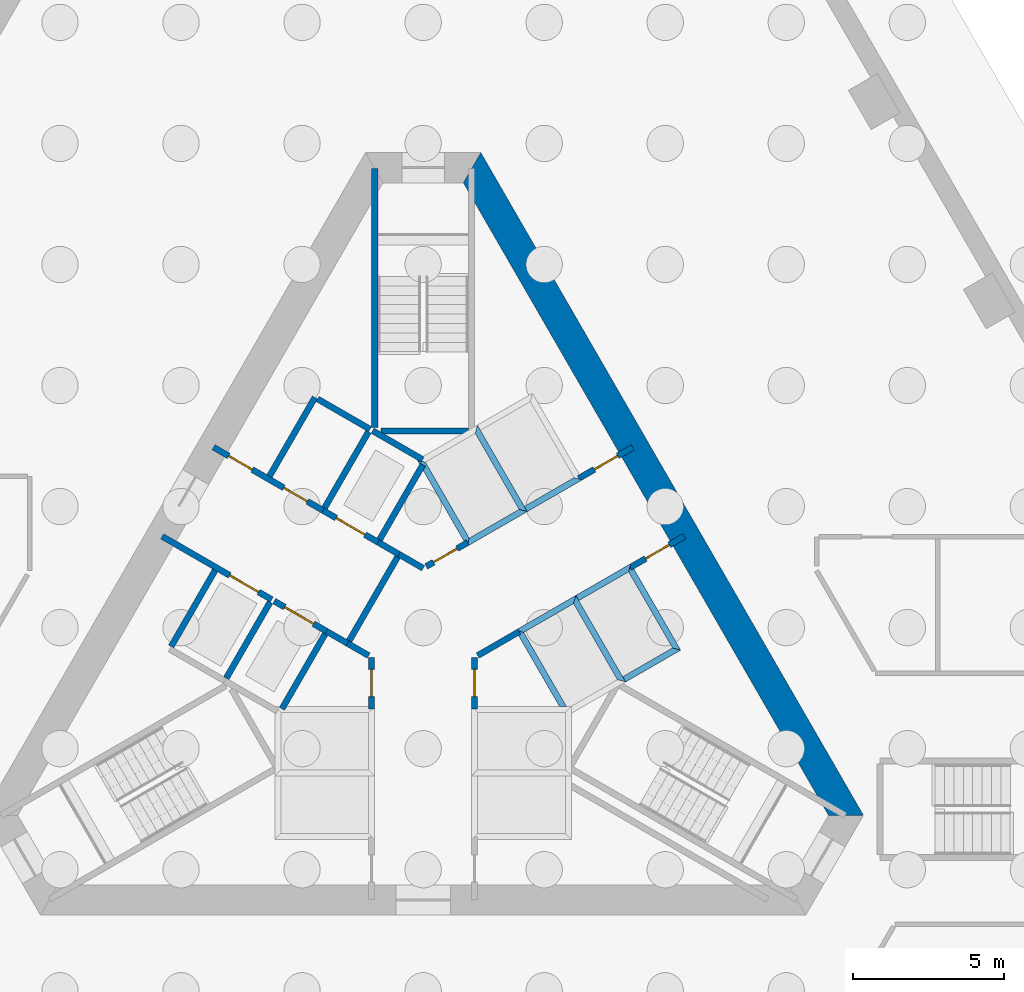
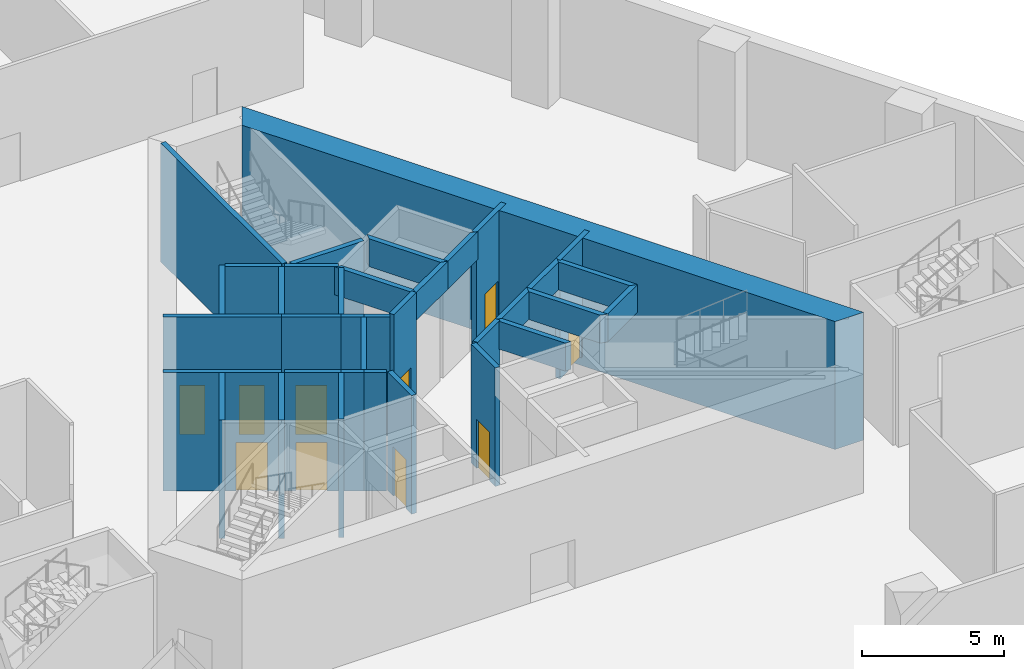
# One storey, part 8 of 20: 36 walls, 10 doors, 10 openings.
"""IFC4 building model written with IfcOpenShell, lengths in metres."""

from ifc_helpers import new_model, si_unit, direction, frame, frame_2d, origin, place, context, subcontext, project, spatial, polyline, rectangle, outline, extrude, material, layer, layer_set, type_object, element, fill, save


model = new_model("IFC4")

# Units and contexts
model_context = context("Model", 3, precision=1e-05, world=origin(), true_north=direction((0.0, 1.0)))
body_context = subcontext(model_context, "Body", "Model", "MODEL_VIEW")
ifc_project = project(units=[si_unit("LENGTHUNIT", "METRE"), si_unit("AREAUNIT", "SQUARE_METRE"), si_unit("VOLUMEUNIT", "CUBIC_METRE"), si_unit("PLANEANGLEUNIT", "RADIAN"), si_unit("MASSUNIT", "GRAM", prefix="KILO")], contexts=[model_context])

# Site, building, storey
site_placement = place(None, origin())
site = spatial("IfcSite", under=ifc_project, at=site_placement, CompositionType="ELEMENT")
building_placement = place(site_placement, origin())
building = spatial("IfcBuilding", under=site, at=building_placement, Name="Triada Interchange Tower", CompositionType="ELEMENT")
storey_placement = place(building_placement, frame((0.0, 0.0, -5.5)))
storey = spatial("IfcBuildingStorey", under=building, at=storey_placement, Name="B1", CompositionType="ELEMENT", Elevation=-5.5)

# Wall
ifc_material_1 = material(Name="Concrete C30/37", Category="concrete")
ifc_layer_1 = layer(ifc_material_1, 0.199951171875)
ifc_layer_set_1 = layer_set([ifc_layer_1], Name="CORE WALL 200 EI 120")
wall_type_1 = type_object("IfcWallType", Name="CORE WALL 200 EI 120", PredefinedType="SOLIDWALL", material=ifc_layer_set_1)
wall_1_placement = place(storey_placement, frame((-8.325927734375, -0.6201171875, 0.0), z_axis=(0.0, 0.0, 1.0), x_axis=(0.500023687443, 0.866011727401, 0.0)))
element("IfcWall", 1, at=wall_1_placement, inside=storey, type_object=wall_type_1, Name="Wall B1 90", PredefinedType="SOLIDWALL", context=body_context, shape_type="SweptSolid", body=[
    extrude(rectangle(XDim=2.899658203125, YDim=0.199951171875, at=frame_2d((1.44970703125, 0.0))), origin(), (0.0, 0.0, 1.0), 5.10009765625),
])

# Wall, opening, door
wall_2_placement = place(storey_placement, frame((-1.699951171875, -2.681884765625, 0.0), z_axis=(0.0, 0.0, 1.0), x_axis=(0.0, 1.0, 0.0)))
wall_2 = element("IfcWall", 2, at=wall_2_placement, inside=storey, type_object=wall_type_1, Name="Wall B1 92", PredefinedType="SOLIDWALL", context=body_context, shape_type="SweptSolid", body=[
    extrude(rectangle(XDim=1.700927734375, YDim=0.199951171875, at=frame_2d((0.8505859375, 0.0))), origin(), (0.0, 0.0, 1.0), 5.10009765625),
])
opening_1_placement = place(wall_2_placement, frame((0.40087890625, 0.0, 0.0)))
opening_1 = element("IfcOpeningElement", 3, at=opening_1_placement, cuts=wall_2, Name="Opening D1-50", PredefinedType="OPENING", context=body_context, shape_type="SweptSolid", body=[
    extrude(rectangle(XDim=0.89990234375, YDim=2.10009765625, at=frame_2d((0.449951171875, 1.050048828125))), frame((0.0, 0.10986328125, 0.0), z_axis=(0.0, -1.0, 0.0), x_axis=(1.0, 0.0, 0.0)), (0.0, 0.0, 1.0), 0.219970703125),
])
ifc_material_2 = material(Name="Steel S235 door leaf", Category="steel")
door_type_1 = type_object("IfcDoorType", Name="SERVICE DOOR 900 EI2 45-C5S200", OperationType="NOTDEFINED", PredefinedType="DOOR", material=ifc_material_2)
door_1_placement = place(opening_1_placement, origin())
door_1 = element("IfcDoor", 4, at=door_1_placement, inside=storey, type_object=door_type_1, Name="Door D1-50 B1", OperationType="SINGLE_SWING_RIGHT", OverallHeight=2.10009765625, OverallWidth=0.89990234375, PredefinedType="DOOR", context=body_context, shape_type="SweptSolid", body=[
    extrude(rectangle(XDim=0.89990234375, YDim=2.10009765625, at=frame_2d((0.449951171875, 1.050048828125))), frame((0.0, 0.02490234375, 0.0), z_axis=(0.0, -1.0, 0.0), x_axis=(1.0, 0.0, 0.0)), (0.0, 0.0, 1.0), 0.050048828125),
])
fill(opening_1, door_1)

# Walls
wall_3_placement = place(storey_placement, frame((-2.4951171875, -0.52197265625, 0.0), z_axis=(0.0, 0.0, 1.0), x_axis=(0.86559276406, -0.500748606395, 0.0)))
element("IfcWall", 5, at=wall_3_placement, inside=storey, type_object=wall_type_1, Name="Wall B1 93", PredefinedType="SOLIDWALL", context=body_context, shape_type="SweptSolid", body=[
    extrude(rectangle(XDim=0.802978515625, YDim=0.199951171875, at=frame_2d((0.4013671875, 0.0))), origin(), (0.0, 0.0, 1.0), 5.10009765625),
])
wall_4_placement = place(storey_placement, frame((-0.794921875, 2.422119140625, 0.0), z_axis=(0.0, 0.0, 1.0), x_axis=(0.865893231143, -0.500228859883, 0.0)))
element("IfcWall", 6, at=wall_4_placement, inside=storey, type_object=wall_type_1, Name="Wall B1 94", PredefinedType="SOLIDWALL", context=body_context, shape_type="SweptSolid", body=[
    extrude(rectangle(XDim=0.91796875, YDim=0.199951171875, at=frame_2d((0.458984375, 0.0))), origin(), (0.0, 0.0, 1.0), 5.10009765625),
])

# Wall, opening, door
wall_5_placement = place(storey_placement, frame((0.10009765625, 2.02099609375, 0.0), z_axis=(0.0, 0.0, 1.0), x_axis=(0.866188150584, 0.499718008269, 0.0)))
wall_5 = element("IfcWall", 7, at=wall_5_placement, inside=storey, type_object=wall_type_1, Name="Wall B1 95", PredefinedType="SOLIDWALL", context=body_context, shape_type="SweptSolid", body=[
    extrude(rectangle(XDim=1.5849609375, YDim=0.199951171875, at=frame_2d((0.79248046875, 0.0))), origin(), (0.0, 0.0, 1.0), 5.10009765625),
])
opening_2_placement = place(wall_5_placement, frame((0.283935546875, 0.0, 0.0)))
opening_2 = element("IfcOpeningElement", 8, at=opening_2_placement, cuts=wall_5, Name="Opening D1-51", PredefinedType="OPENING", context=body_context, shape_type="SweptSolid", body=[
    extrude(rectangle(XDim=0.89990234375, YDim=2.10009765625, at=frame_2d((0.449951171875, 1.050048828125))), frame((0.0, 0.10986328125, 0.0), z_axis=(0.0, -1.0, 0.0), x_axis=(1.0, 0.0, 0.0)), (0.0, 0.0, 1.0), 0.219970703125),
])
door_2_placement = place(opening_2_placement, origin())
door_2 = element("IfcDoor", 9, at=door_2_placement, inside=storey, type_object=door_type_1, Name="Door D1-51 B1", OperationType="SINGLE_SWING_LEFT", OverallHeight=2.10009765625, OverallWidth=0.89990234375, PredefinedType="DOOR", context=body_context, shape_type="SweptSolid", body=[
    extrude(rectangle(XDim=0.89990234375, YDim=2.10009765625, at=frame_2d((0.449951171875, 1.050048828125))), frame((0.0, 0.02490234375, 0.0), z_axis=(0.0, -1.0, 0.0), x_axis=(1.0, 0.0, 0.0)), (0.0, 0.0, 1.0), 0.050048828125),
])
fill(opening_2, door_2)

wall_6_placement = place(storey_placement, frame((5.14111328125, 4.930908203125, 0.0), z_axis=(0.0, 0.0, 1.0), x_axis=(0.866041665719, 0.499971832445, 0.0)))
wall_6 = element("IfcWall", 10, at=wall_6_placement, inside=storey, type_object=wall_type_1, Name="Wall B1 96", PredefinedType="SOLIDWALL", context=body_context, shape_type="SweptSolid", body=[
    extrude(rectangle(XDim=2.06201171875, YDim=0.199951171875, at=frame_2d((1.031005859375, 0.0))), origin(), (0.0, 0.0, 1.0), 5.10009765625),
])
opening_3_placement = place(wall_6_placement, frame((0.592041015625, 0.0, 0.0)))
opening_3 = element("IfcOpeningElement", 11, at=opening_3_placement, cuts=wall_6, Name="Opening D1-53", PredefinedType="OPENING", context=body_context, shape_type="SweptSolid", body=[
    extrude(rectangle(XDim=0.89990234375, YDim=2.10009765625, at=frame_2d((0.449951171875, 1.050048828125))), frame((0.0, 0.10986328125, 0.0), z_axis=(0.0, -1.0, 0.0), x_axis=(1.0, 0.0, 0.0)), (0.0, 0.0, 1.0), 0.219970703125),
])
door_3_placement = place(opening_3_placement, origin())
door_3 = element("IfcDoor", 12, at=door_3_placement, inside=storey, type_object=door_type_1, Name="Door D1-53 B1", OperationType="SINGLE_SWING_LEFT", OverallHeight=2.10009765625, OverallWidth=0.89990234375, PredefinedType="DOOR", context=body_context, shape_type="SweptSolid", body=[
    extrude(rectangle(XDim=0.89990234375, YDim=2.10009765625, at=frame_2d((0.449951171875, 1.050048828125))), frame((0.0, 0.02490234375, 0.0), z_axis=(0.0, -1.0, 0.0), x_axis=(1.0, 0.0, 0.0)), (0.0, 0.0, 1.0), 0.050048828125),
])
fill(opening_3, door_3)

wall_7_placement = place(storey_placement, frame((1.699951171875, -2.681884765625, 0.0), z_axis=(0.0, 0.0, 1.0), x_axis=(0.0, 1.0, 0.0)))
wall_7 = element("IfcWall", 13, at=wall_7_placement, inside=storey, type_object=wall_type_1, Name="Wall B1 98", PredefinedType="SOLIDWALL", context=body_context, shape_type="SweptSolid", body=[
    extrude(rectangle(XDim=1.700927734375, YDim=0.199951171875, at=frame_2d((0.8505859375, 0.0))), origin(), (0.0, 0.0, 1.0), 5.10009765625),
])
opening_4_placement = place(wall_7_placement, frame((0.40087890625, 0.0, 0.0)))
opening_4 = element("IfcOpeningElement", 14, at=opening_4_placement, cuts=wall_7, Name="Opening D1-54", PredefinedType="OPENING", context=body_context, shape_type="SweptSolid", body=[
    extrude(rectangle(XDim=0.89990234375, YDim=2.10009765625, at=frame_2d((0.449951171875, 1.050048828125))), frame((0.0, 0.10986328125, 0.0), z_axis=(0.0, -1.0, 0.0), x_axis=(1.0, 0.0, 0.0)), (0.0, 0.0, 1.0), 0.219970703125),
])
door_type_2 = type_object("IfcDoorType", Name="RISER ACCESS DOOR 900 EI2 45-C5S200", OperationType="NOTDEFINED", PredefinedType="DOOR", material=ifc_material_2)
door_4_placement = place(opening_4_placement, origin())
door_4 = element("IfcDoor", 15, at=door_4_placement, inside=storey, type_object=door_type_2, Name="Door D1-54 B1", OperationType="SINGLE_SWING_LEFT", OverallHeight=2.10009765625, OverallWidth=0.89990234375, PredefinedType="DOOR", context=body_context, shape_type="SweptSolid", body=[
    extrude(rectangle(XDim=0.89990234375, YDim=2.10009765625, at=frame_2d((0.449951171875, 1.050048828125))), frame((0.0, 0.02490234375, 0.0), z_axis=(0.0, -1.0, 0.0), x_axis=(1.0, 0.0, 0.0)), (0.0, 0.0, 1.0), 0.050048828125),
])
fill(opening_4, door_4)

# Wall
wall_8_placement = place(storey_placement, frame((1.800048828125, -0.924072265625, 0.0), z_axis=(0.0, 0.0, 1.0), x_axis=(0.865959917263, 0.500113408832, 0.0)))
element("IfcWall", 16, at=wall_8_placement, inside=storey, type_object=wall_type_1, Name="Wall B1 99", PredefinedType="SOLIDWALL", context=body_context, shape_type="SweptSolid", body=[
    extrude(rectangle(XDim=1.585693359375, YDim=0.199951171875, at=frame_2d((0.79296875, 0.0))), origin(), (0.0, 0.0, 1.0), 5.10009765625),
])

# Wall, opening, door
wall_9_placement = place(storey_placement, frame((6.841064453125, 1.987060546875, 0.0), z_axis=(0.0, 0.0, 1.0), x_axis=(0.866041665719, 0.499971832445, 0.0)))
wall_9 = element("IfcWall", 17, at=wall_9_placement, inside=storey, type_object=wall_type_1, Name="Wall B1 100", PredefinedType="SOLIDWALL", context=body_context, shape_type="SweptSolid", body=[
    extrude(rectangle(XDim=2.06201171875, YDim=0.199951171875, at=frame_2d((1.031005859375, 0.0))), origin(), (0.0, 0.0, 1.0), 5.10009765625),
])
opening_5_placement = place(wall_9_placement, frame((0.592041015625, 0.0, 0.0)))
opening_5 = element("IfcOpeningElement", 18, at=opening_5_placement, cuts=wall_9, Name="Opening D1-56", PredefinedType="OPENING", context=body_context, shape_type="SweptSolid", body=[
    extrude(rectangle(XDim=0.89990234375, YDim=2.10009765625, at=frame_2d((0.449951171875, 1.050048828125))), frame((0.0, 0.10986328125, 0.0), z_axis=(0.0, -1.0, 0.0), x_axis=(1.0, 0.0, 0.0)), (0.0, 0.0, 1.0), 0.219970703125),
])
door_5_placement = place(opening_5_placement, origin())
door_5 = element("IfcDoor", 19, at=door_5_placement, inside=storey, type_object=door_type_1, Name="Door D1-56 B1", OperationType="SINGLE_SWING_RIGHT", OverallHeight=2.10009765625, OverallWidth=0.89990234375, PredefinedType="DOOR", context=body_context, shape_type="SweptSolid", body=[
    extrude(rectangle(XDim=0.89990234375, YDim=2.10009765625, at=frame_2d((0.449951171875, 1.050048828125))), frame((0.0, 0.02490234375, 0.0), z_axis=(0.0, -1.0, 0.0), x_axis=(1.0, 0.0, 0.0)), (0.0, 0.0, 1.0), 0.050048828125),
])
fill(opening_5, door_5)

# Walls
wall_10_placement = place(storey_placement, frame((-0.06201171875, 5.507080078125, 3.89990234375), z_axis=(0.0, 0.0, 1.0), x_axis=(0.499958760481, -0.866049212123, 0.0)))
element("IfcWall", 20, at=wall_10_placement, inside=storey, type_object=wall_type_1, Name="Pit wall LR5 1", PredefinedType="SOLIDWALL", context=body_context, shape_type="SweptSolid", body=[
    extrude(outline(polyline([(0.10009765625, 0.10009765625), (1.550048828125, 0.10009765625), (3.0, 0.10009765625), (3.199951171875, -0.10009765625), (1.5498046875, -0.10009765625), (-0.10009765625, -0.10009765625), (0.10009765625, 0.10009765625)])), origin(), (0.0, 0.0, 1.0), 1.2001953125),
])
wall_11_placement = place(storey_placement, frame((1.488037109375, 2.822021484375, 3.89990234375), z_axis=(0.0, 0.0, 1.0), x_axis=(0.866038466041, 0.499977374825, 0.0)))
element("IfcWall", 21, at=wall_11_placement, inside=storey, type_object=wall_type_1, Name="Pit wall LR5 2", PredefinedType="SOLIDWALL", context=body_context, shape_type="SweptSolid", body=[
    extrude(outline(polyline([(2.0, 0.10009765625), (2.199951171875, -0.10009765625), (1.05029296875, -0.10009765625), (-0.09912109375, -0.10009765625), (0.10009765625, 0.10009765625), (0.10009765625, 0.10009765625), (0.10009765625, 0.10009765625), (0.10009765625, 0.10009765625), (0.10009765625, 0.10009765625), (0.10009765625, 0.10009765625), (0.10009765625, 0.10009765625), (0.10009765625, 0.10009765625), (0.10009765625, 0.10009765625), (2.0, 0.10009765625)])), origin(), (0.0, 0.0, 1.0), 1.2001953125),
])
wall_12_placement = place(storey_placement, frame((3.306884765625, 3.8720703125, 3.89990234375), z_axis=(0.0, 0.0, 1.0), x_axis=(-0.499933790963, 0.866063626216, 0.0)))
element("IfcWall", 22, at=wall_12_placement, inside=storey, type_object=wall_type_1, Name="Pit wall LR5 3", PredefinedType="SOLIDWALL", context=body_context, shape_type="SweptSolid", body=[
    extrude(outline(polyline([(3.0, 0.10009765625), (3.199951171875, -0.10009765625), (1.55029296875, -0.10009765625), (-0.09912109375, -0.10009765625), (0.10009765625, 0.10009765625), (0.10009765625, 0.10009765625), (0.10009765625, 0.10009765625), (0.10009765625, 0.10009765625), (0.10009765625, 0.10009765625), (0.10009765625, 0.10009765625), (0.10009765625, 0.10009765625), (0.10107421875, 0.10009765625), (0.10107421875, 0.10009765625), (0.10107421875, 0.10009765625), (1.550537109375, 0.10009765625), (3.0, 0.10009765625)])), origin(), (0.0, 0.0, 1.0), 1.2001953125),
])
wall_13_placement = place(storey_placement, frame((3.306884765625, 3.8720703125, 3.89990234375), z_axis=(0.0, 0.0, 1.0), x_axis=(0.866067520717, 0.499927044236, 0.0)))
element("IfcWall", 23, at=wall_13_placement, inside=storey, type_object=wall_type_1, Name="Pit wall LR6 2", PredefinedType="SOLIDWALL", context=body_context, shape_type="SweptSolid", body=[
    extrude(outline(polyline([(2.0, 0.10009765625), (2.199951171875, -0.10009765625), (1.150390625, -0.10009765625), (0.10107421875, -0.10009765625), (0.10107421875, -0.10009765625), (0.10009765625, 0.10009765625), (2.0, 0.10009765625)])), origin(), (0.0, 0.0, 1.0), 1.2001953125),
])
wall_14_placement = place(storey_placement, frame((5.007080078125, 0.927978515625, 3.89990234375), z_axis=(0.0, 0.0, 1.0), x_axis=(-0.866067520717, -0.499927044236, 0.0)))
element("IfcWall", 24, at=wall_14_placement, inside=storey, type_object=wall_type_1, Name="Pit wall SH1 1", PredefinedType="SOLIDWALL", context=body_context, shape_type="SweptSolid", body=[
    extrude(outline(polyline([(0.10009765625, 0.10009765625), (2.0, 0.10009765625), (2.199951171875, -0.10009765625), (1.0498046875, -0.10009765625), (-0.10009765625, -0.10009765625), (0.10009765625, 0.10009765625)])), origin(), (0.0, 0.0, 1.0), 1.2001953125),
])
wall_15_placement = place(storey_placement, frame((3.18798828125, -0.1220703125, 3.89990234375), z_axis=(0.0, 0.0, 1.0), x_axis=(0.49999285859, -0.86602952684, 0.0)))
element("IfcWall", 25, at=wall_15_placement, inside=storey, type_object=wall_type_1, Name="Pit wall SH1 2", PredefinedType="SOLIDWALL", context=body_context, shape_type="SweptSolid", body=[
    extrude(outline(polyline([(2.91796875, 0.10009765625), (2.802978515625, -0.10009765625), (1.35205078125, -0.10009765625), (-0.09912109375, -0.10009765625), (0.10009765625, 0.10009765625), (0.10009765625, 0.10009765625), (0.10009765625, 0.10009765625), (0.10009765625, 0.10009765625), (0.10009765625, 0.10009765625), (0.10009765625, 0.10009765625), (0.10009765625, 0.10009765625), (0.10107421875, 0.10009765625), (0.10107421875, 0.10009765625), (0.10107421875, 0.10009765625), (1.509521484375, 0.10009765625), (2.91796875, 0.10009765625)])), origin(), (0.0, 0.0, 1.0), 1.2001953125),
])
wall_16_placement = place(storey_placement, frame((6.556884765625, -1.757080078125, 3.89990234375), z_axis=(0.0, 0.0, 1.0), x_axis=(-0.499899694197, 0.866083307622, 0.0)))
element("IfcWall", 26, at=wall_16_placement, inside=storey, type_object=wall_type_1, Name="Pit wall SH1 4", PredefinedType="SOLIDWALL", context=body_context, shape_type="SweptSolid", body=[
    extrude(outline(polyline([(3.0, 0.10009765625), (3.0, 0.10009765625), (3.0, 0.10009765625), (3.0, 0.10009765625), (3.0, 0.10009765625), (3.0, 0.10009765625), (3.0, 0.10009765625), (3.0, 0.10009765625), (3.0, 0.10009765625), (3.199951171875, -0.10009765625), (1.55029296875, -0.10009765625), (-0.09912109375, -0.10009765625), (0.10009765625, 0.10009765625), (0.10009765625, 0.10009765625), (0.10009765625, 0.10009765625), (0.10009765625, 0.10009765625), (0.10009765625, 0.10009765625), (0.10009765625, 0.10009765625), (0.10009765625, 0.10009765625), (0.10107421875, 0.10009765625), (0.10107421875, 0.10009765625), (0.10107421875, 0.10009765625), (1.550537109375, 0.10009765625), (3.0, 0.10009765625)])), origin(), (0.0, 0.0, 1.0), 1.2001953125),
])
wall_17_placement = place(storey_placement, frame((6.825927734375, 1.97802734375, 3.89990234375), z_axis=(0.0, 0.0, 1.0), x_axis=(-0.866038466041, -0.499977374825, 0.0)))
element("IfcWall", 27, at=wall_17_placement, inside=storey, type_object=wall_type_1, Name="Pit wall SH2 1", PredefinedType="SOLIDWALL", context=body_context, shape_type="SweptSolid", body=[
    extrude(outline(polyline([(0.10009765625, 0.10009765625), (2.0, 0.10009765625), (2.0, -0.10009765625), (0.949951171875, -0.10009765625), (-0.10009765625, -0.10009765625), (0.10009765625, 0.10009765625)])), origin(), (0.0, 0.0, 1.0), 1.2001953125),
])
wall_18_placement = place(storey_placement, frame((6.556884765625, -1.757080078125, 3.89990234375), z_axis=(0.0, 0.0, 1.0), x_axis=(0.866067520717, 0.499927044236, 0.0)))
element("IfcWall", 28, at=wall_18_placement, inside=storey, type_object=wall_type_1, Name="Pit wall SH2 3", PredefinedType="SOLIDWALL", context=body_context, shape_type="SweptSolid", body=[
    extrude(outline(polyline([(2.0, 0.10009765625), (2.199951171875, -0.10009765625), (1.150390625, -0.10009765625), (0.10107421875, -0.10009765625), (0.10107421875, -0.10009765625), (0.10009765625, 0.10009765625), (2.0, 0.10009765625)])), origin(), (0.0, 0.0, 1.0), 1.2001953125),
])
wall_19_placement = place(storey_placement, frame((8.3759765625, -0.70703125, 3.89990234375), z_axis=(0.0, 0.0, 1.0), x_axis=(-0.499958760481, 0.866049212123, 0.0)))
element("IfcWall", 29, at=wall_19_placement, inside=storey, type_object=wall_type_1, Name="Pit wall SH2 4", PredefinedType="SOLIDWALL", context=body_context, shape_type="SweptSolid", body=[
    extrude(outline(polyline([(3.0, 0.10009765625), (3.0, 0.10009765625), (3.0, 0.10009765625), (3.0, 0.10009765625), (3.0, 0.10009765625), (3.0, 0.10009765625), (3.0, 0.10009765625), (3.0, 0.10009765625), (3.0, 0.10009765625), (3.199951171875, -0.10009765625), (1.55029296875, -0.10009765625), (-0.09912109375, -0.10009765625), (0.10009765625, 0.10009765625), (0.10009765625, 0.10009765625), (0.10009765625, 0.10009765625), (0.10009765625, 0.10009765625), (0.10009765625, 0.10009765625), (0.10009765625, 0.10009765625), (0.10009765625, 0.10009765625), (0.10107421875, 0.10009765625), (0.10107421875, 0.10009765625), (0.10107421875, 0.10009765625), (1.550537109375, 0.10009765625), (3.0, 0.10009765625)])), origin(), (0.0, 0.0, 1.0), 1.2001953125),
])

# Wall, opening, door
ifc_layer_2 = layer(ifc_material_1, 0.199951171875)
ifc_layer_set_2 = layer_set([ifc_layer_2], Name="CORE WALL 200 EI 180")
wall_type_2 = type_object("IfcWallType", Name="CORE WALL 200 EI 180", PredefinedType="SOLIDWALL", material=ifc_layer_set_2)
wall_20_placement = place(storey_placement, frame((-8.626953125, 3.01806640625, 0.0), z_axis=(0.0, 0.0, 1.0), x_axis=(0.866039775641, -0.499975106388, 0.0)))
wall_20 = element("IfcWall", 30, at=wall_20_placement, inside=storey, type_object=wall_type_2, Name="Wall B1 101", PredefinedType="SOLIDWALL", context=body_context, shape_type="SweptSolid", body=[
    extrude(rectangle(XDim=4.182373046875, YDim=0.199951171875, at=frame_2d((2.09130859375, 0.0))), origin(), (0.0, 0.0, 1.0), 5.10009765625),
])
opening_6_placement = place(wall_20_placement, frame((2.580078125, 0.0, 0.0)))
opening_6 = element("IfcOpeningElement", 31, at=opening_6_placement, cuts=wall_20, Name="Opening LD-SV1", PredefinedType="OPENING", context=body_context, shape_type="SweptSolid", body=[
    extrude(rectangle(XDim=1.10009765625, YDim=2.10009765625, at=frame_2d((0.550048828125, 1.050048828125))), frame((0.0, 0.10986328125, 0.0), z_axis=(0.0, -1.0, 0.0), x_axis=(1.0, 0.0, 0.0)), (0.0, 0.0, 1.0), 0.219970703125),
])
door_type_3 = type_object("IfcDoorType", Name="LIFT LANDING DOOR 1100 EI 120", OperationType="SLIDING_TO_LEFT", PredefinedType="DOOR", material=ifc_material_2)
door_6_placement = place(opening_6_placement, origin())
door_6 = element("IfcDoor", 32, at=door_6_placement, inside=storey, type_object=door_type_3, Name="SV1 landing door B1", OperationType="SLIDING_TO_LEFT", OverallHeight=2.10009765625, OverallWidth=1.10009765625, PredefinedType="DOOR", context=body_context, shape_type="SweptSolid", body=[
    extrude(rectangle(XDim=1.10009765625, YDim=2.10009765625, at=frame_2d((0.550048828125, 1.050048828125))), frame((0.0, 0.02490234375, 0.0), z_axis=(0.0, -1.0, 0.0), x_axis=(1.0, 0.0, 0.0)), (0.0, 0.0, 1.0), 0.050048828125),
])
fill(opening_6, door_6)

# Wall
wall_21_placement = place(storey_placement, frame((-3.18994140625, -0.12109375, 0.0), z_axis=(0.0, 0.0, 1.0), x_axis=(0.866175452185, -0.499740018442, 0.0)))
element("IfcWall", 33, at=wall_21_placement, inside=storey, type_object=wall_type_2, Name="Wall B1 102", PredefinedType="SOLIDWALL", context=body_context, shape_type="SweptSolid", body=[
    extrude(rectangle(XDim=0.80224609375, YDim=0.199951171875, at=frame_2d((0.401123046875, 0.0))), origin(), (0.0, 0.0, 1.0), 5.10009765625),
])

# Wall, openings, doors
wall_22_placement = place(storey_placement, frame((-6.927001953125, 5.9619140625, 0.0), z_axis=(0.0, 0.0, 1.0), x_axis=(0.866065051207, -0.49993132236, 0.0)))
wall_22 = element("IfcWall", 34, at=wall_22_placement, inside=storey, type_object=wall_type_2, Name="Wall B1 103", PredefinedType="SOLIDWALL", context=body_context, shape_type="SweptSolid", body=[
    extrude(rectangle(XDim=4.18212890625, YDim=0.199951171875, at=frame_2d((2.091064453125, 0.0))), origin(), (0.0, 0.0, 1.0), 5.10009765625),
])
opening_7_placement = place(wall_22_placement, frame((2.679931640625, 0.0, 0.0)))
opening_7 = element("IfcOpeningElement", 35, at=opening_7_placement, cuts=wall_22, Name="Opening D1-04", PredefinedType="OPENING", context=body_context, shape_type="SweptSolid", body=[
    extrude(rectangle(XDim=0.89990234375, YDim=2.10009765625, at=frame_2d((0.449951171875, 1.050048828125))), frame((0.0, 0.10986328125, 0.0), z_axis=(0.0, -1.0, 0.0), x_axis=(1.0, 0.0, 0.0)), (0.0, 0.0, 1.0), 0.219970703125),
])
opening_8_placement = place(wall_22_placement, frame((0.580078125, 0.0, 0.0)))
opening_8 = element("IfcOpeningElement", 36, at=opening_8_placement, cuts=wall_22, Name="Opening D1-52", PredefinedType="OPENING", context=body_context, shape_type="SweptSolid", body=[
    extrude(rectangle(XDim=0.89990234375, YDim=2.10009765625, at=frame_2d((0.449951171875, 1.050048828125))), frame((0.0, 0.10986328125, 0.0), z_axis=(0.0, -1.0, 0.0), x_axis=(1.0, 0.0, 0.0)), (0.0, 0.0, 1.0), 0.219970703125),
])
door_7_placement = place(opening_8_placement, origin())
door_7 = element("IfcDoor", 37, at=door_7_placement, inside=storey, type_object=door_type_1, Name="Door D1-52 B1", OperationType="SINGLE_SWING_LEFT", OverallHeight=2.10009765625, OverallWidth=0.89990234375, PredefinedType="DOOR", context=body_context, shape_type="SweptSolid", body=[
    extrude(rectangle(XDim=0.89990234375, YDim=2.10009765625, at=frame_2d((0.449951171875, 1.050048828125))), frame((0.0, 0.02490234375, 0.0), z_axis=(0.0, -1.0, 0.0), x_axis=(1.0, 0.0, 0.0)), (0.0, 0.0, 1.0), 0.050048828125),
])
fill(opening_8, door_7)
door_type_4 = type_object("IfcDoorType", Name="SERVICE DOOR 900 EI2 90-C5S200", OperationType="NOTDEFINED", PredefinedType="DOOR", material=ifc_material_2)
door_8_placement = place(opening_7_placement, origin())
door_8 = element("IfcDoor", 38, at=door_8_placement, inside=storey, type_object=door_type_4, Name="Door D1-04 B1", OperationType="SINGLE_SWING_LEFT", OverallHeight=2.10009765625, OverallWidth=0.89990234375, PredefinedType="DOOR", context=body_context, shape_type="SweptSolid", body=[
    extrude(rectangle(XDim=0.89990234375, YDim=2.10009765625, at=frame_2d((0.449951171875, 1.050048828125))), frame((0.0, 0.02490234375, 0.0), z_axis=(0.0, -1.0, 0.0), x_axis=(1.0, 0.0, 0.0)), (0.0, 0.0, 1.0), 0.050048828125),
])
fill(opening_7, door_8)

# Walls
wall_23_placement = place(storey_placement, frame((-1.489990234375, 2.822998046875, 0.0), z_axis=(0.0, 0.0, 1.0), x_axis=(0.866251430126, -0.499608306381, 0.0)))
element("IfcWall", 39, at=wall_23_placement, inside=storey, type_object=wall_type_2, Name="Wall B1 104", PredefinedType="SOLIDWALL", context=body_context, shape_type="SweptSolid", body=[
    extrude(rectangle(XDim=0.802490234375, YDim=0.199951171875, at=frame_2d((0.4013671875, 0.0))), origin(), (0.0, 0.0, 1.0), 5.10009765625),
])
wall_24_placement = place(storey_placement, frame((-5.075927734375, 5.009033203125, 0.0), z_axis=(0.0, 0.0, 1.0), x_axis=(0.50002537861, 0.866010750942, 0.0)))
element("IfcWall", 40, at=wall_24_placement, inside=storey, type_object=wall_type_2, Name="Wall B1 105", PredefinedType="SOLIDWALL", context=body_context, shape_type="SweptSolid", body=[
    extrude(rectangle(XDim=2.999755859375, YDim=0.199951171875, at=frame_2d((1.5, 0.0))), origin(), (0.0, 0.0, 1.0), 5.10009765625),
])
wall_25_placement = place(storey_placement, frame((-3.489013671875, 7.556884765625, 0.0), z_axis=(0.0, 0.0, 1.0), x_axis=(0.866010750942, -0.50002537861, 0.0)))
element("IfcWall", 41, at=wall_25_placement, inside=storey, type_object=wall_type_2, Name="Wall B1 106", PredefinedType="SOLIDWALL", context=body_context, shape_type="SweptSolid", body=[
    extrude(rectangle(XDim=2.0, YDim=0.199951171875, at=frame_2d((1.0, 0.0))), origin(), (0.0, 0.0, 1.0), 5.10009765625),
])
wall_26_placement = place(storey_placement, frame((-2.445068359375, -0.43603515625, 0.0), z_axis=(0.0, 0.0, 1.0), x_axis=(0.499929347863, 0.866066190972, 0.0)))
element("IfcWall", 42, at=wall_26_placement, inside=storey, type_object=wall_type_2, Name="Wall B1 107", PredefinedType="SOLIDWALL", context=body_context, shape_type="SweptSolid", body=[
    extrude(rectangle(XDim=3.20068359375, YDim=0.199951171875, at=frame_2d((1.600341796875, 0.0))), origin(), (0.0, 0.0, 1.0), 5.10009765625),
])
wall_27_placement = place(storey_placement, frame((-6.507080078125, -1.669921875, 0.0), z_axis=(0.0, 0.0, 1.0), x_axis=(0.50012328804, 0.865954211699, 0.0)))
element("IfcWall", 43, at=wall_27_placement, inside=storey, type_object=wall_type_2, Name="Shaft wall FF1 B1 109", PredefinedType="SOLIDWALL", context=body_context, shape_type="SweptSolid", body=[
    extrude(rectangle(XDim=2.899658203125, YDim=0.199951171875, at=frame_2d((1.44970703125, 0.0))), origin(), (0.0, 0.0, 1.0), 5.10009765625),
])

# Wall, opening, door
wall_28_placement = place(storey_placement, frame((-4.919921875, 0.8779296875, 0.0), z_axis=(0.0, 0.0, 1.0), x_axis=(0.866010750942, -0.50002537861, 0.0)))
wall_28 = element("IfcWall", 44, at=wall_28_placement, inside=storey, type_object=wall_type_2, Name="Shaft wall FF1 B1 110", PredefinedType="SOLIDWALL", context=body_context, shape_type="SweptSolid", body=[
    extrude(rectangle(XDim=2.0, YDim=0.199951171875, at=frame_2d((1.0, 0.0))), origin(), (0.0, 0.0, 1.0), 5.10009765625),
])
opening_9_placement = place(wall_28_placement, frame((0.39990234375, 0.0, 0.0)))
opening_9 = element("IfcOpeningElement", 45, at=opening_9_placement, cuts=wall_28, Name="Opening LD-FF1", PredefinedType="OPENING", context=body_context, shape_type="SweptSolid", body=[
    extrude(rectangle(XDim=1.10009765625, YDim=2.10009765625, at=frame_2d((0.550048828125, 1.050048828125))), frame((0.0, 0.10986328125, 0.0), z_axis=(0.0, -1.0, 0.0), x_axis=(1.0, 0.0, 0.0)), (0.0, 0.0, 1.0), 0.219970703125),
])
door_9_placement = place(opening_9_placement, origin())
door_9 = element("IfcDoor", 46, at=door_9_placement, inside=storey, type_object=door_type_3, Name="FF1 landing door B1", OperationType="SLIDING_TO_LEFT", OverallHeight=2.10009765625, OverallWidth=1.10009765625, PredefinedType="DOOR", context=body_context, shape_type="SweptSolid", body=[
    extrude(rectangle(XDim=1.10009765625, YDim=2.10009765625, at=frame_2d((0.550048828125, 1.050048828125))), frame((0.0, 0.02490234375, 0.0), z_axis=(0.0, -1.0, 0.0), x_axis=(1.0, 0.0, 0.0)), (0.0, 0.0, 1.0), 0.050048828125),
])
fill(opening_9, door_9)

# Wall
wall_29_placement = place(storey_placement, frame((-4.666015625, -2.681884765625, 0.0), z_axis=(0.0, 0.0, 1.0), x_axis=(0.500065346707, 0.865987672558, 0.0)))
element("IfcWall", 47, at=wall_29_placement, inside=storey, type_object=wall_type_2, Name="Shaft wall FF1 B1 111", PredefinedType="SOLIDWALL", context=body_context, shape_type="SweptSolid", body=[
    extrude(rectangle(XDim=2.85546875, YDim=0.199951171875, at=frame_2d((1.427734375, 0.0))), origin(), (0.0, 0.0, 1.0), 5.10009765625),
])

# Wall, opening, door
wall_30_placement = place(storey_placement, frame((-3.30908203125, 3.873046875, 0.0), z_axis=(0.0, 0.0, 1.0), x_axis=(0.866098583652, -0.499873227325, 0.0)))
wall_30 = element("IfcWall", 48, at=wall_30_placement, inside=storey, type_object=wall_type_2, Name="Shaft wall FF2 B1 112", PredefinedType="SOLIDWALL", context=body_context, shape_type="SweptSolid", body=[
    extrude(rectangle(XDim=2.1025390625, YDim=0.199951171875, at=frame_2d((1.05126953125, 0.0))), origin(), (0.0, 0.0, 1.0), 5.10009765625),
])
opening_10_placement = place(wall_30_placement, frame((0.501953125, 0.0, 0.0)))
opening_10 = element("IfcOpeningElement", 49, at=opening_10_placement, cuts=wall_30, Name="Opening LD-FF2", PredefinedType="OPENING", context=body_context, shape_type="SweptSolid", body=[
    extrude(rectangle(XDim=1.10009765625, YDim=2.10009765625, at=frame_2d((0.550048828125, 1.050048828125))), frame((0.0, 0.10986328125, 0.0), z_axis=(0.0, -1.0, 0.0), x_axis=(1.0, 0.0, 0.0)), (0.0, 0.0, 1.0), 0.219970703125),
])
door_10_placement = place(opening_10_placement, origin())
door_10 = element("IfcDoor", 50, at=door_10_placement, inside=storey, type_object=door_type_3, Name="FF2 landing door B1", OperationType="SLIDING_TO_LEFT", OverallHeight=2.10009765625, OverallWidth=1.10009765625, PredefinedType="DOOR", context=body_context, shape_type="SweptSolid", body=[
    extrude(rectangle(XDim=1.10009765625, YDim=2.10009765625, at=frame_2d((0.550048828125, 1.050048828125))), frame((0.0, 0.02490234375, 0.0), z_axis=(0.0, -1.0, 0.0), x_axis=(1.0, 0.0, 0.0)), (0.0, 0.0, 1.0), 0.050048828125),
])
fill(opening_10, door_10)

# Walls
wall_31_placement = place(storey_placement, frame((-3.257080078125, 3.958984375, 0.0), z_axis=(0.0, 0.0, 1.0), x_axis=(0.50012328804, 0.865954211699, 0.0)))
element("IfcWall", 51, at=wall_31_placement, inside=storey, type_object=wall_type_2, Name="Shaft wall FF2 B1 113", PredefinedType="SOLIDWALL", context=body_context, shape_type="SweptSolid", body=[
    extrude(rectangle(XDim=2.899658203125, YDim=0.199951171875, at=frame_2d((1.44970703125, 0.0))), origin(), (0.0, 0.0, 1.0), 5.10009765625),
])
wall_32_placement = place(storey_placement, frame((-1.669921875, 6.507080078125, 0.0), z_axis=(0.0, 0.0, 1.0), x_axis=(0.865934055563, -0.500158186394, 0.0)))
element("IfcWall", 52, at=wall_32_placement, inside=storey, type_object=wall_type_2, Name="Shaft wall FF2 B1 114", PredefinedType="SOLIDWALL", context=body_context, shape_type="SweptSolid", body=[
    extrude(rectangle(XDim=1.90771484375, YDim=0.199951171875, at=frame_2d((0.953857421875, 0.0))), origin(), (0.0, 0.0, 1.0), 5.10009765625),
])
wall_33_placement = place(storey_placement, frame((-1.43798828125, 2.908935546875, 0.0), z_axis=(0.0, 0.0, 1.0), x_axis=(0.49977180025, 0.86615711489, 0.0)))
element("IfcWall", 53, at=wall_33_placement, inside=storey, type_object=wall_type_2, Name="Shaft wall FF2 B1 115", PredefinedType="SOLIDWALL", context=body_context, shape_type="SweptSolid", body=[
    extrude(rectangle(XDim=2.855224609375, YDim=0.199951171875, at=frame_2d((1.427734375, 0.0))), origin(), (0.0, 0.0, 1.0), 5.10009765625),
])
ifc_layer_3 = layer(ifc_material_1, 0.199951171875)
ifc_layer_set_3 = layer_set([ifc_layer_3], Name="CORE WALL 200 REI 240")
wall_type_3 = type_object("IfcWallType", Name="CORE WALL 200 REI 240", PredefinedType="SOLIDWALL", material=ifc_layer_set_3)
wall_34_placement = place(storey_placement, frame((-1.39990234375, 6.5, 0.0), z_axis=(0.0, 0.0, 1.0), x_axis=(1.0, 0.0, 0.0)))
element("IfcWall", 54, at=wall_34_placement, inside=storey, type_object=wall_type_3, Name="Wall B1 121", PredefinedType="SOLIDWALL", context=body_context, shape_type="SweptSolid", body=[
    extrude(rectangle(XDim=2.89990234375, YDim=0.199951171875, at=frame_2d((1.449951171875, 0.0))), origin(), (0.0, 0.0, 1.0), 5.10009765625),
])
wall_35_placement = place(storey_placement, frame((-1.60009765625, 6.614990234375, 0.0), z_axis=(0.0, 0.0, 1.0), x_axis=(0.0, 1.0, 0.0)))
element("IfcWall", 55, at=wall_35_placement, inside=storey, type_object=wall_type_3, Name="Wall B1 122", PredefinedType="SOLIDWALL", context=body_context, shape_type="SweptSolid", body=[
    extrude(rectangle(XDim=8.56494140625, YDim=0.199951171875, at=frame_2d((4.282470703125, 0.0))), origin(), (0.0, 0.0, 1.0), 5.10009765625),
])
ifc_material_3 = material(Name="Concrete C70/85", Category="concrete")
ifc_layer_4 = layer(ifc_material_3, 1.0)
ifc_layer_set_4 = layer_set([ifc_layer_4], Name="Core wall P 1000")
wall_type_4 = type_object("IfcWallType", Name="Core wall P 1000", PredefinedType="SHEAR", material=ifc_layer_set_4)
wall_36_placement = place(storey_placement, frame((13.971923828125, -6.199951171875, -0.39990234375), z_axis=(0.0, 0.0, 1.0), x_axis=(-0.499992141631, 0.866029940768, 0.0)))
element("IfcWall", 56, at=wall_36_placement, inside=storey, type_object=wall_type_4, Name="Core wall WP06 B1", PredefinedType="SHEAR", context=body_context, shape_type="SweptSolid", body=[
    extrude(outline(polyline([(-0.2880859375, -0.5), (1.656982421875, -0.5), (3.602294921875, -0.499755859375), (5.54736328125, -0.499755859375), (7.49267578125, -0.499755859375), (9.437744140625, -0.49951171875), (11.3828125, -0.49951171875), (13.328125, -0.49951171875), (15.273193359375, -0.49951171875), (17.21826171875, -0.499267578125), (19.16357421875, -0.499267578125), (21.108642578125, -0.499267578125), (23.053955078125, -0.4990234375), (24.9990234375, -0.4990234375), (24.422119140625, 0.5), (22.565673828125, 0.5), (20.709228515625, 0.5), (18.852783203125, 0.5), (16.996337890625, 0.5), (15.139892578125, 0.5), (13.283447265625, 0.5), (11.4267578125, 0.5), (9.5703125, 0.5), (7.7138671875, 0.5), (5.857421875, 0.5), (4.0009765625, 0.5), (2.14453125, 0.5), (0.2880859375, 0.5), (-0.2880859375, -0.5)])), origin(), (0.0, 0.0, 1.0), 5.5),
])

save(model, "model.ifc")
